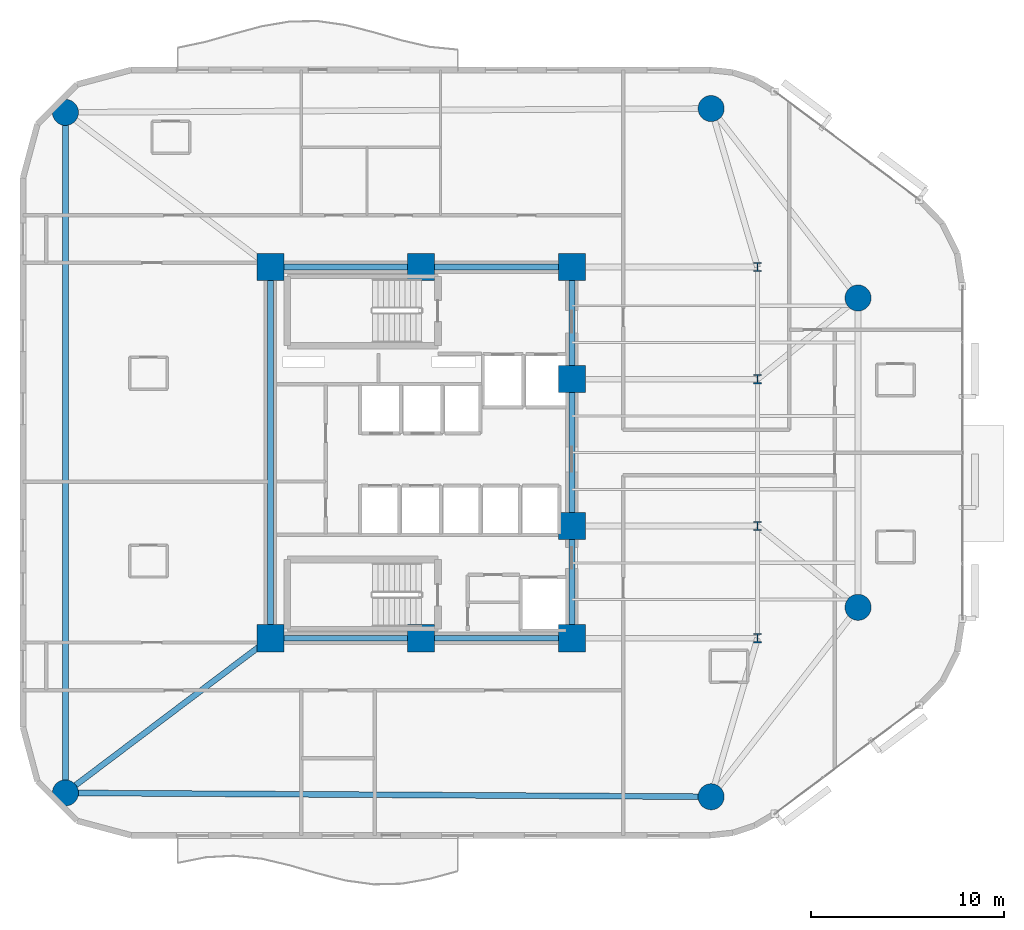
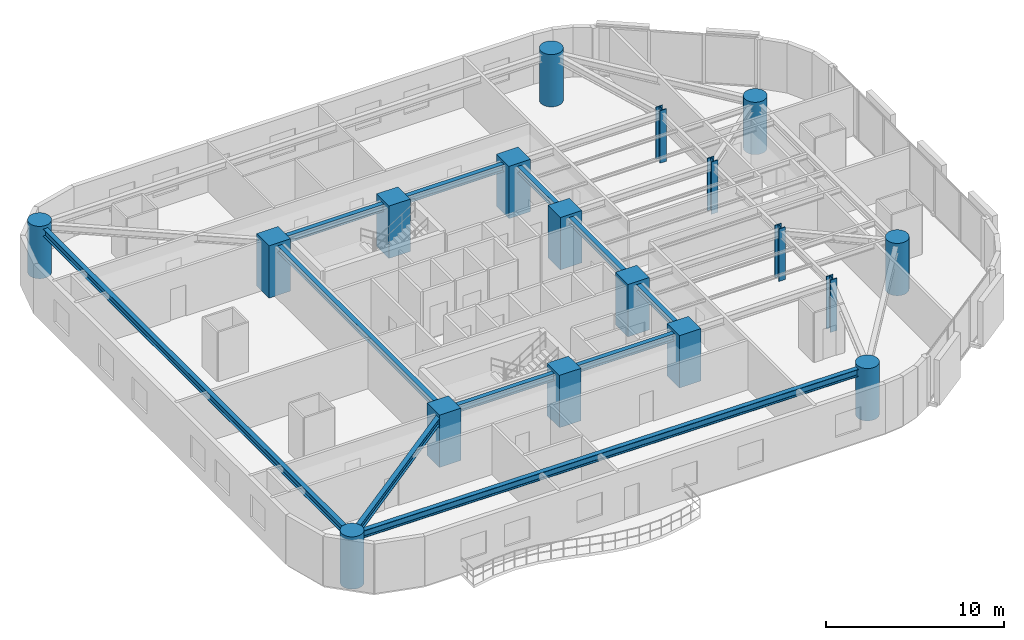
# One storey, part 1 of 16: 18 columns, 9 beams.
"""IFC4 building model written with IfcOpenShell, lengths in metres."""

from ifc_helpers import new_model, si_unit, direction, frame, origin, origin_2d, place, context, subcontext, project, spatial, rectangle, circle, i_section, extrude, material, material_profile, profile_set, type_object, element, save


model = new_model("IFC4")

# Units and contexts
model_context = context("Model", 3, precision=1e-05, world=origin(), true_north=direction((0.0, 1.0)))
body_context = subcontext(model_context, "Body", "Model", "MODEL_VIEW")
ifc_project = project(units=[si_unit("LENGTHUNIT", "METRE"), si_unit("AREAUNIT", "SQUARE_METRE"), si_unit("VOLUMEUNIT", "CUBIC_METRE"), si_unit("PLANEANGLEUNIT", "RADIAN"), si_unit("MASSUNIT", "GRAM", prefix="KILO")], contexts=[model_context])

# Site, building, storey
site_placement = place(None, origin())
site = spatial("IfcSite", under=ifc_project, at=site_placement, CompositionType="ELEMENT")
building_placement = place(site_placement, origin())
building = spatial("IfcBuilding", under=site, at=building_placement, Name="An Khanh Terracotta Commons", CompositionType="ELEMENT")
storey_placement = place(building_placement, frame((0.0, 0.0, 107.89990234375)))
storey = spatial("IfcBuildingStorey", under=building, at=storey_placement, Name="L28", CompositionType="ELEMENT", Elevation=107.89990234375)

# Columns
ifc_material_1 = material(Name="Concrete C70/85", Category="concrete")
ifc_material_profile_1 = material_profile(ifc_material_1, circle(Radius=0.675048828125, at=origin_2d()), Name="CFST1350")
ifc_profile_set_1 = profile_set([ifc_material_profile_1], Name="Concrete C70/85")
column_type_1 = type_object("IfcColumnType", Name="COL-CFST1350", PredefinedType="COLUMN", material=ifc_profile_set_1)
for number, where, z_axis, x_axis, name in (
    (1, (11.0, 6.39990234375, 0.0), (0.0, 0.0, 1.0), (1.0, 0.0, 0.0), "L28 Perimeter CFST Mega-Column MC-01"),
    (2, (44.39990234375, 6.199951171875, 0.0), (0.0, 0.0, 1.0), (1.0, 0.0, 0.0), "L28 Perimeter CFST Mega-Column MC-02"),
    (3, (52.0, 16.0, 0.0), (0.0, 0.0, 1.0), (1.0, 0.0, 0.0), "L28 Perimeter CFST Mega-Column MC-03"),
    (4, (52.0, 32.0, 0.0), (0.0, 0.0, 1.0), (1.0, 0.0, 0.0), "L28 Perimeter CFST Mega-Column MC-04"),
    (5, (44.39990234375, 41.800048828125, 0.0), (0.0, 0.0, 1.0), (1.0, 0.0, 0.0), "L28 Perimeter CFST Mega-Column MC-05"),
    (6, (11.0, 41.60009765625, 0.0), (0.0, 0.0, 1.0), (1.0, 0.0, 0.0), "L28 Perimeter CFST Mega-Column MC-06"),
):
    element("IfcColumn", number, at=place(storey_placement, frame(where, z_axis=z_axis, x_axis=x_axis)), inside=storey, type_object=column_type_1, Name=name, PredefinedType="COLUMN", context=body_context, shape_type="SweptSolid", body=[
        extrude(circle(Radius=0.675048828125, at=origin_2d()), origin(), (0.0, 0.0, 1.0), 3.60009765625),
    ])
ifc_material_2 = material(Name="Steel S460ML", Category="steel")
ifc_material_profile_2 = material_profile(ifc_material_2, i_section(OverallWidth=0.4169921875, OverallDepth=0.47705078125, WebThickness=0.035888671875, FlangeThickness=0.057373046875, FilletRadius=0.014892578125, at=origin_2d()), Name="HD400x463")
ifc_profile_set_2 = profile_set([ifc_material_profile_2], Name="Steel S460ML")
column_type_2 = type_object("IfcColumnType", Name="COL-HD400x463", PredefinedType="COLUMN", material=ifc_profile_set_2)
for number, where, z_axis, x_axis, name in (
    (7, (46.800048828125, 14.39990234375, 0.0), (0.0, 0.0, 1.0), (1.0, 0.0, 0.0), "L28 Interior Frame Column TC-01"),
    (8, (46.800048828125, 20.199951171875, 0.0), (0.0, 0.0, 1.0), (1.0, 0.0, 0.0), "L28 Interior Frame Column TC-02"),
    (9, (46.800048828125, 27.800048828125, 0.0), (0.0, 0.0, 1.0), (1.0, 0.0, 0.0), "L28 Interior Frame Column TC-03"),
    (10, (46.800048828125, 33.60009765625, 0.0), (0.0, 0.0, 1.0), (1.0, 0.0, 0.0), "L28 Interior Frame Column TC-04"),
):
    element("IfcColumn", number, at=place(storey_placement, frame(where, z_axis=z_axis, x_axis=x_axis)), inside=storey, type_object=column_type_2, Name=name, PredefinedType="COLUMN", context=body_context, shape_type="SweptSolid", body=[
        extrude(i_section(OverallWidth=0.4169921875, OverallDepth=0.47705078125, WebThickness=0.035888671875, FlangeThickness=0.057373046875, FilletRadius=0.014892578125, at=origin_2d()), origin(), (0.0, 0.0, 1.0), 3.60009765625),
    ])
ifc_material_profile_3 = material_profile(ifc_material_1, rectangle(XDim=1.39990234375, YDim=1.39990234375, at=origin_2d()), Name="RC1400x1400")
ifc_profile_set_3 = profile_set([ifc_material_profile_3], Name="Concrete C70/85")
column_type_3 = type_object("IfcColumnType", Name="COL-RC1400x1400", PredefinedType="COLUMN", material=ifc_profile_set_3)
for number, where, z_axis, x_axis, name in (
    (11, (21.60009765625, 14.39990234375, 0.0), (0.0, 0.0, 1.0), (1.0, 0.0, 0.0), "L28 Core Boundary Column CC-01"),
    (12, (29.39990234375, 14.39990234375, 0.0), (0.0, 0.0, 1.0), (1.0, 0.0, 0.0), "L28 Core Boundary Column CC-02"),
    (13, (37.199951171875, 14.39990234375, 0.0), (0.0, 0.0, 1.0), (1.0, 0.0, 0.0), "L28 Core Boundary Column CC-03"),
    (14, (37.199951171875, 20.199951171875, 0.0), (0.0, 0.0, 1.0), (1.0, 0.0, 0.0), "L28 Core Boundary Column CC-04"),
    (15, (37.199951171875, 27.800048828125, 0.0), (0.0, 0.0, 1.0), (1.0, 0.0, 0.0), "L28 Core Boundary Column CC-05"),
    (16, (37.199951171875, 33.60009765625, 0.0), (0.0, 0.0, 1.0), (1.0, 0.0, 0.0), "L28 Core Boundary Column CC-06"),
    (17, (29.39990234375, 33.60009765625, 0.0), (0.0, 0.0, 1.0), (1.0, 0.0, 0.0), "L28 Core Boundary Column CC-07"),
    (18, (21.60009765625, 33.60009765625, 0.0), (0.0, 0.0, 1.0), (1.0, 0.0, 0.0), "L28 Core Boundary Column CC-08"),
):
    element("IfcColumn", number, at=place(storey_placement, frame(where, z_axis=z_axis, x_axis=x_axis)), inside=storey, type_object=column_type_3, Name=name, PredefinedType="COLUMN", context=body_context, shape_type="SweptSolid", body=[
        extrude(rectangle(XDim=1.39990234375, YDim=1.39990234375, at=origin_2d()), origin(), (0.0, 0.0, 1.0), 3.60009765625),
    ])

# Beams
ifc_material_3 = material(Name="Steel S355J2", Category="steel")
ifc_material_profile_4 = material_profile(ifc_material_3, i_section(OverallWidth=0.300048828125, OverallDepth=0.449951171875, WebThickness=0.013916015625, FlangeThickness=0.02587890625, FilletRadius=0.027099609375, at=origin_2d()), Name="HEB450")
ifc_profile_set_4 = profile_set([ifc_material_profile_4], Name="Steel S355J2")
beam_type_1 = type_object("IfcBeamType", Name="BM-HEB450", PredefinedType="BEAM", material=ifc_profile_set_4)
beam_1_placement = place(storey_placement, frame((37.199951171875, 14.39990234375, 3.175048828125), z_axis=(0.0, 1.0, 0.0), x_axis=(-1.0, 0.0, 0.0)))
element("IfcBeam", 19, at=beam_1_placement, inside=storey, type_object=beam_type_1, Name="L28 Core East Coupling Girder 1", PredefinedType="BEAM", context=body_context, shape_type="SweptSolid", body=[
    extrude(i_section(OverallWidth=0.300048828125, OverallDepth=0.449951171875, WebThickness=0.013916015625, FlangeThickness=0.02587890625, FilletRadius=0.027099609375, at=origin_2d()), origin(), (0.0, 0.0, 1.0), 5.800048828125),
])
beam_2_placement = place(storey_placement, frame((37.199951171875, 20.199951171875, 3.175048828125), z_axis=(0.0, 1.0, 0.0), x_axis=(-1.0, 0.0, 0.0)))
element("IfcBeam", 20, at=beam_2_placement, inside=storey, type_object=beam_type_1, Name="L28 Core East Coupling Girder 2", PredefinedType="BEAM", context=body_context, shape_type="SweptSolid", body=[
    extrude(i_section(OverallWidth=0.300048828125, OverallDepth=0.449951171875, WebThickness=0.013916015625, FlangeThickness=0.02587890625, FilletRadius=0.027099609375, at=origin_2d()), origin(), (0.0, 0.0, 1.0), 7.60009765625),
])
beam_3_placement = place(storey_placement, frame((37.199951171875, 27.800048828125, 3.175048828125), z_axis=(0.0, 1.0, 0.0), x_axis=(-1.0, 0.0, 0.0)))
element("IfcBeam", 21, at=beam_3_placement, inside=storey, type_object=beam_type_1, Name="L28 Core East Coupling Girder 3", PredefinedType="BEAM", context=body_context, shape_type="SweptSolid", body=[
    extrude(i_section(OverallWidth=0.300048828125, OverallDepth=0.449951171875, WebThickness=0.013916015625, FlangeThickness=0.02587890625, FilletRadius=0.027099609375, at=origin_2d()), origin(), (0.0, 0.0, 1.0), 5.800048828125),
])
beam_4_placement = place(storey_placement, frame((21.60009765625, 14.39990234375, 3.175048828125), z_axis=(0.0, 1.0, 0.0), x_axis=(-1.0, 0.0, 0.0)))
element("IfcBeam", 22, at=beam_4_placement, inside=storey, type_object=beam_type_1, Name="L28 Core West Coupling Girder", PredefinedType="BEAM", context=body_context, shape_type="SweptSolid", body=[
    extrude(i_section(OverallWidth=0.300048828125, OverallDepth=0.449951171875, WebThickness=0.013916015625, FlangeThickness=0.02587890625, FilletRadius=0.027099609375, at=origin_2d()), origin(), (0.0, 0.0, 1.0), 19.2001953125),
])
ifc_material_profile_5 = material_profile(ifc_material_3, i_section(OverallWidth=0.300048828125, OverallDepth=0.5, WebThickness=0.014404296875, FlangeThickness=0.028076171875, FilletRadius=0.027099609375, at=origin_2d()), Name="HEB500")
ifc_profile_set_5 = profile_set([ifc_material_profile_5], Name="Steel S355J2")
beam_type_2 = type_object("IfcBeamType", Name="BM-HEB500", PredefinedType="BEAM", material=ifc_profile_set_5)
for number, where, z_axis, x_axis, name in (
    (23, (21.60009765625, 14.39990234375, 3.150146484375), (1.0, 0.0, 0.0), (0.0, 1.0, 0.0), "L28 Core South Coupling Girder"),
    (24, (21.60009765625, 33.60009765625, 3.150146484375), (1.0, 0.0, 0.0), (0.0, 1.0, 0.0), "L28 Core North Coupling Girder"),
):
    element("IfcBeam", number, at=place(storey_placement, frame(where, z_axis=z_axis, x_axis=x_axis)), inside=storey, type_object=beam_type_2, Name=name, PredefinedType="BEAM", context=body_context, shape_type="SweptSolid", body=[
        extrude(i_section(OverallWidth=0.300048828125, OverallDepth=0.5, WebThickness=0.014404296875, FlangeThickness=0.028076171875, FilletRadius=0.027099609375, at=origin_2d()), origin(), (0.0, 0.0, 1.0), 15.599853515625),
    ])
beam_5_placement = place(storey_placement, frame((11.0, 6.39990234375, 3.150146484375), z_axis=(0.999982080914, -0.005986472262, 0.0), x_axis=(0.005986472262, 0.999982080914, 0.0)))
element("IfcBeam", 25, at=beam_5_placement, inside=storey, type_object=beam_type_2, Name="L28 Perimeter Ring Spandrel 1", PredefinedType="BEAM", context=body_context, shape_type="SweptSolid", body=[
    extrude(i_section(OverallWidth=0.300048828125, OverallDepth=0.5, WebThickness=0.014404296875, FlangeThickness=0.028076171875, FilletRadius=0.027099609375, at=origin_2d()), origin(), (0.0, 0.0, 1.0), 33.400390625),
])
beam_6_placement = place(storey_placement, frame((11.0, 41.60009765625, 3.150146484375), z_axis=(0.0, -1.0, 0.0), x_axis=(1.0, 0.0, 0.0)))
element("IfcBeam", 26, at=beam_6_placement, inside=storey, type_object=beam_type_2, Name="L28 Perimeter Ring Spandrel 6", PredefinedType="BEAM", context=body_context, shape_type="SweptSolid", body=[
    extrude(i_section(OverallWidth=0.300048828125, OverallDepth=0.5, WebThickness=0.014404296875, FlangeThickness=0.028076171875, FilletRadius=0.027099609375, at=origin_2d()), origin(), (0.0, 0.0, 1.0), 35.2001953125),
])
beam_7_placement = place(storey_placement, frame((11.0, 6.39990234375, 3.150146484375), z_axis=(0.798191818888, 0.602403370061, 0.0), x_axis=(-0.602403370061, 0.798191818888, 0.0)))
element("IfcBeam", 27, at=beam_7_placement, inside=storey, type_object=beam_type_2, Name="L28 Mega-Column Tie Girder 1", PredefinedType="BEAM", context=body_context, shape_type="SweptSolid", body=[
    extrude(i_section(OverallWidth=0.300048828125, OverallDepth=0.5, WebThickness=0.014404296875, FlangeThickness=0.028076171875, FilletRadius=0.027099609375, at=origin_2d()), origin(), (0.0, 0.0, 1.0), 13.280029296875),
])

save(model, "model.ifc")
